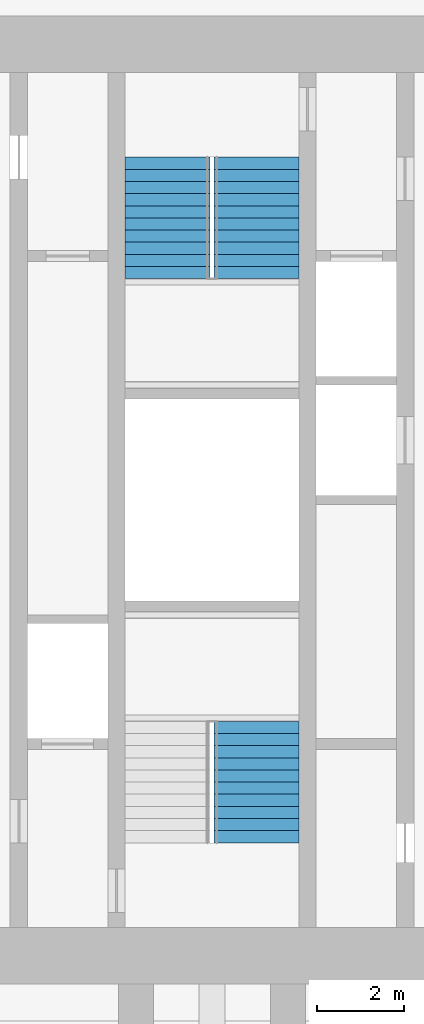
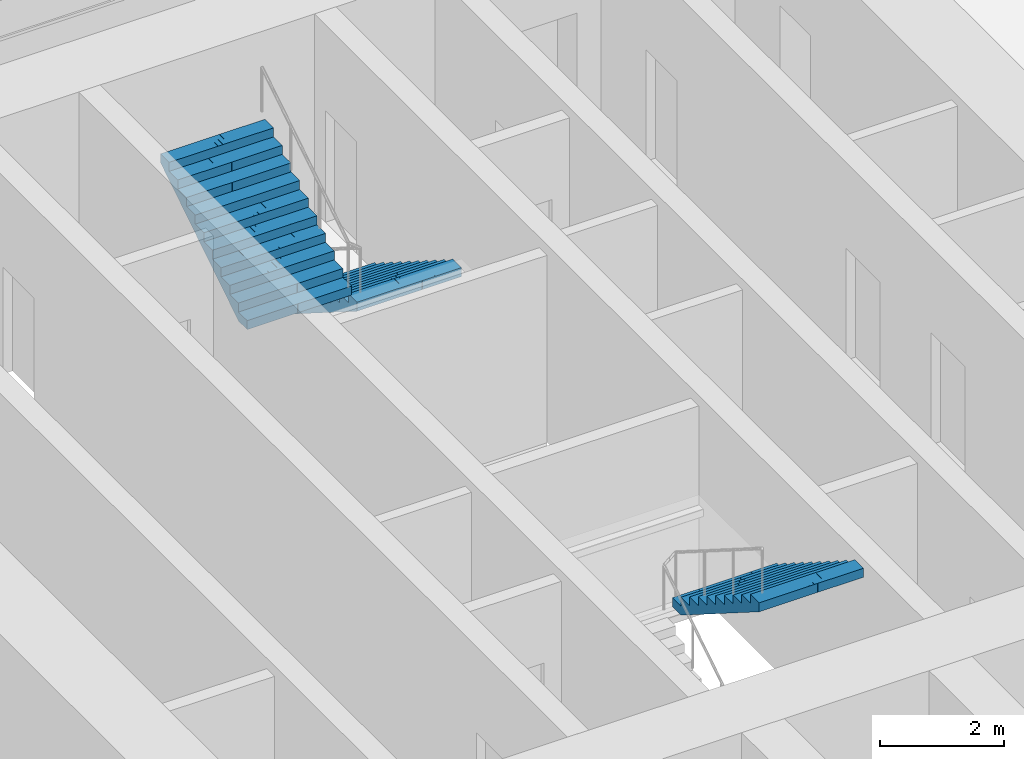
# One storey, part 14 of 15: 3 stair flights, 2 elements without a shape of their own.
"""IFC4 building model written with IfcOpenShell, lengths in metres."""

from ifc_helpers import new_model, si_unit, direction, frame, origin, place, context, subcontext, project, spatial, polyline, outline, extrude, material, type_object, element, aggregate, save


model = new_model("IFC4")

# Units and contexts
model_context = context("Model", 3, precision=1e-05, world=origin(), true_north=direction((0.0, 1.0)))
body_context = subcontext(model_context, "Body", "Model", "MODEL_VIEW")
ifc_project = project(units=[si_unit("LENGTHUNIT", "METRE"), si_unit("AREAUNIT", "SQUARE_METRE"), si_unit("VOLUMEUNIT", "CUBIC_METRE"), si_unit("PLANEANGLEUNIT", "RADIAN"), si_unit("MASSUNIT", "GRAM", prefix="KILO")], contexts=[model_context])

# Site, building, storey
site_placement = place(None, origin())
site = spatial("IfcSite", under=ifc_project, at=site_placement, CompositionType="ELEMENT")
building_placement = place(site_placement, origin())
building = spatial("IfcBuilding", under=site, at=building_placement, Name="Mizan Broadcast Tower", CompositionType="ELEMENT")
storey_placement = place(building_placement, frame((0.0, 0.0, 271.199951171875)))
storey = spatial("IfcBuildingStorey", under=building, at=storey_placement, Name="L64", CompositionType="ELEMENT", Elevation=271.199951171875)

# Stair, stair flight
ifc_material_1 = material(Name="Concrete C40/50", Category="concrete")
stair_type = type_object("IfcStairType", Name="EXIT STAIR", PredefinedType="HALF_TURN_STAIR", material=ifc_material_1)
stair_1_placement = place(storey_placement, origin())
stair_1 = element("IfcStair", 1, at=stair_1_placement, inside=storey, type_object=stair_type, Name="Stair A L64", PredefinedType="HALF_TURN_STAIR")
ifc_material_2 = material(Name="Concrete C40/50", Category="concrete")
stair_flight_type = type_object("IfcStairFlightType", Name="EXIT STAIR FLIGHT", PredefinedType="STRAIGHT", material=ifc_material_2)
stair_flight_1_placement = place(storey_placement, frame((1.02490234375, -5.10009765625, 1.949951171875), z_axis=(0.0, 0.0, 1.0), x_axis=(0.0, -1.0, 0.0)))
stair_flight_1 = element("IfcStairFlight", 2, at=stair_flight_1_placement, type_object=stair_flight_type, Name="A flight 2", NumberOfRisers=11, NumberOfTreads=10, PredefinedType="STRAIGHT", RiserHeight=0.177272727, TreadLength=0.28, context=body_context, shape_type="SweptSolid", body=[
    extrude(outline(polyline([(0.0, 0.0), (0.0, 0.17724609375), (0.280029296875, 0.17724609375), (0.280029296875, 0.3544921875), (0.56005859375, 0.3544921875), (0.56005859375, 0.53173828125), (0.840087890625, 0.53173828125), (0.840087890625, 0.708984375), (1.1201171875, 0.708984375), (1.1201171875, 0.886474609375), (1.39990234375, 0.886474609375), (1.39990234375, 1.063720703125), (1.679931640625, 1.063720703125), (1.679931640625, 1.240966796875), (1.9599609375, 1.240966796875), (1.9599609375, 1.418212890625), (2.239990234375, 1.418212890625), (2.239990234375, 1.595458984375), (2.52001953125, 1.595458984375), (2.52001953125, 1.772705078125), (2.800048828125, 1.772705078125), (2.800048828125, 1.949951171875), (2.800048828125, 1.59521484375), (0.2802734375, 0.0), (0.0, 0.0)])), frame((0.0, 0.97509765625, 0.0), z_axis=(0.0, -1.0, 0.0), x_axis=(1.0, 0.0, 0.0)), (0.0, 0.0, 1.0), 0.4873046875),
    extrude(outline(polyline([(0.0, 0.0), (0.0, 0.17724609375), (0.280029296875, 0.17724609375), (0.280029296875, 0.3544921875), (0.56005859375, 0.3544921875), (0.56005859375, 0.53173828125), (0.840087890625, 0.53173828125), (0.840087890625, 0.708984375), (1.1201171875, 0.708984375), (1.1201171875, 0.886474609375), (1.39990234375, 0.886474609375), (1.39990234375, 1.063720703125), (1.679931640625, 1.063720703125), (1.679931640625, 1.240966796875), (1.9599609375, 1.240966796875), (1.9599609375, 1.418212890625), (2.239990234375, 1.418212890625), (2.239990234375, 1.595458984375), (2.52001953125, 1.595458984375), (2.52001953125, 1.772705078125), (2.800048828125, 1.772705078125), (2.800048828125, 1.949951171875), (2.800048828125, 1.59521484375), (0.2802734375, 0.0), (0.0, 0.0)])), frame((0.0, 0.4873046875, 0.0), z_axis=(0.0, -1.0, 0.0), x_axis=(1.0, 0.0, 0.0)), (0.0, 0.0, 1.0), 0.2431640625),
    extrude(outline(polyline([(0.0, 0.0), (0.0, 0.17724609375), (0.280029296875, 0.17724609375), (0.280029296875, 0.3544921875), (0.56005859375, 0.3544921875), (0.56005859375, 0.53173828125), (0.840087890625, 0.53173828125), (0.840087890625, 0.708984375), (1.1201171875, 0.708984375), (1.1201171875, 0.886474609375), (1.39990234375, 0.886474609375), (1.39990234375, 1.063720703125), (1.679931640625, 1.063720703125), (1.679931640625, 1.240966796875), (1.9599609375, 1.240966796875), (1.9599609375, 1.418212890625), (2.239990234375, 1.418212890625), (2.239990234375, 1.595458984375), (2.52001953125, 1.595458984375), (2.52001953125, 1.772705078125), (2.800048828125, 1.772705078125), (2.800048828125, 1.949951171875), (2.800048828125, 1.59521484375), (0.2802734375, 0.0), (0.0, 0.0)])), frame((0.0, 0.24365234375, 0.0), z_axis=(0.0, -1.0, 0.0), x_axis=(1.0, 0.0, 0.0)), (0.0, 0.0, 1.0), 0.121337890625),
    extrude(outline(polyline([(0.0, 0.0), (0.0, 0.17724609375), (0.280029296875, 0.17724609375), (0.280029296875, 0.3544921875), (0.56005859375, 0.3544921875), (0.56005859375, 0.53173828125), (0.840087890625, 0.53173828125), (0.840087890625, 0.708984375), (1.1201171875, 0.708984375), (1.1201171875, 0.886474609375), (1.39990234375, 0.886474609375), (1.39990234375, 1.063720703125), (1.679931640625, 1.063720703125), (1.679931640625, 1.240966796875), (1.9599609375, 1.240966796875), (1.9599609375, 1.418212890625), (2.239990234375, 1.418212890625), (2.239990234375, 1.595458984375), (2.52001953125, 1.595458984375), (2.52001953125, 1.772705078125), (2.800048828125, 1.772705078125), (2.800048828125, 1.949951171875), (2.800048828125, 1.59521484375), (0.2802734375, 0.0), (0.0, 0.0)])), frame((0.0, 0.121826171875, 0.0), z_axis=(0.0, -1.0, 0.0), x_axis=(1.0, 0.0, 0.0)), (0.0, 0.0, 1.0), 0.060546875),
    extrude(outline(polyline([(0.0, 0.0), (0.0, 0.17724609375), (0.280029296875, 0.17724609375), (0.280029296875, 0.3544921875), (0.56005859375, 0.3544921875), (0.56005859375, 0.53173828125), (0.840087890625, 0.53173828125), (0.840087890625, 0.708984375), (1.1201171875, 0.708984375), (1.1201171875, 0.886474609375), (1.39990234375, 0.886474609375), (1.39990234375, 1.063720703125), (1.679931640625, 1.063720703125), (1.679931640625, 1.240966796875), (1.9599609375, 1.240966796875), (1.9599609375, 1.418212890625), (2.239990234375, 1.418212890625), (2.239990234375, 1.595458984375), (2.52001953125, 1.595458984375), (2.52001953125, 1.772705078125), (2.800048828125, 1.772705078125), (2.800048828125, 1.949951171875), (2.800048828125, 1.59521484375), (0.2802734375, 0.0), (0.0, 0.0)])), frame((0.0, 0.060791015625, 0.0), z_axis=(0.0, -1.0, 0.0), x_axis=(1.0, 0.0, 0.0)), (0.0, 0.0, 1.0), 0.030029296875),
    extrude(outline(polyline([(0.0, 0.0), (0.0, 0.17724609375), (0.280029296875, 0.17724609375), (0.280029296875, 0.3544921875), (0.56005859375, 0.3544921875), (0.56005859375, 0.53173828125), (0.840087890625, 0.53173828125), (0.840087890625, 0.708984375), (1.1201171875, 0.708984375), (1.1201171875, 0.886474609375), (1.39990234375, 0.886474609375), (1.39990234375, 1.063720703125), (1.679931640625, 1.063720703125), (1.679931640625, 1.240966796875), (1.9599609375, 1.240966796875), (1.9599609375, 1.418212890625), (2.239990234375, 1.418212890625), (2.239990234375, 1.595458984375), (2.52001953125, 1.595458984375), (2.52001953125, 1.772705078125), (2.800048828125, 1.772705078125), (2.800048828125, 1.949951171875), (2.800048828125, 1.59521484375), (0.2802734375, 0.0), (0.0, 0.0)])), frame((0.0, 0.0302734375, 0.0), z_axis=(0.0, -1.0, 0.0), x_axis=(1.0, 0.0, 0.0)), (0.0, 0.0, 1.0), 0.060302734375),
    extrude(outline(polyline([(0.0, 0.0), (0.0, 0.17724609375), (0.280029296875, 0.17724609375), (0.280029296875, 0.3544921875), (0.56005859375, 0.3544921875), (0.56005859375, 0.53173828125), (0.840087890625, 0.53173828125), (0.840087890625, 0.708984375), (1.1201171875, 0.708984375), (1.1201171875, 0.886474609375), (1.39990234375, 0.886474609375), (1.39990234375, 1.063720703125), (1.679931640625, 1.063720703125), (1.679931640625, 1.240966796875), (1.9599609375, 1.240966796875), (1.9599609375, 1.418212890625), (2.239990234375, 1.418212890625), (2.239990234375, 1.595458984375), (2.52001953125, 1.595458984375), (2.52001953125, 1.772705078125), (2.800048828125, 1.772705078125), (2.800048828125, 1.949951171875), (2.800048828125, 1.59521484375), (0.2802734375, 0.0), (0.0, 0.0)])), frame((0.0, -0.030517578125, 0.0), z_axis=(0.0, -1.0, 0.0), x_axis=(1.0, 0.0, 0.0)), (0.0, 0.0, 1.0), 0.030029296875),
    extrude(outline(polyline([(0.0, 0.0), (0.0, 0.17724609375), (0.280029296875, 0.17724609375), (0.280029296875, 0.3544921875), (0.56005859375, 0.3544921875), (0.56005859375, 0.53173828125), (0.840087890625, 0.53173828125), (0.840087890625, 0.708984375), (1.1201171875, 0.708984375), (1.1201171875, 0.886474609375), (1.39990234375, 0.886474609375), (1.39990234375, 1.063720703125), (1.679931640625, 1.063720703125), (1.679931640625, 1.240966796875), (1.9599609375, 1.240966796875), (1.9599609375, 1.418212890625), (2.239990234375, 1.418212890625), (2.239990234375, 1.595458984375), (2.52001953125, 1.595458984375), (2.52001953125, 1.772705078125), (2.800048828125, 1.772705078125), (2.800048828125, 1.949951171875), (2.800048828125, 1.59521484375), (0.2802734375, 0.0), (0.0, 0.0)])), frame((0.0, -0.06103515625, 0.0), z_axis=(0.0, -1.0, 0.0), x_axis=(1.0, 0.0, 0.0)), (0.0, 0.0, 1.0), 0.060546875),
    extrude(outline(polyline([(0.0, 0.0), (0.0, 0.17724609375), (0.280029296875, 0.17724609375), (0.280029296875, 0.3544921875), (0.56005859375, 0.3544921875), (0.56005859375, 0.53173828125), (0.840087890625, 0.53173828125), (0.840087890625, 0.708984375), (1.1201171875, 0.708984375), (1.1201171875, 0.886474609375), (1.39990234375, 0.886474609375), (1.39990234375, 1.063720703125), (1.679931640625, 1.063720703125), (1.679931640625, 1.240966796875), (1.9599609375, 1.240966796875), (1.9599609375, 1.418212890625), (2.239990234375, 1.418212890625), (2.239990234375, 1.595458984375), (2.52001953125, 1.595458984375), (2.52001953125, 1.772705078125), (2.800048828125, 1.772705078125), (2.800048828125, 1.949951171875), (2.800048828125, 1.59521484375), (0.2802734375, 0.0), (0.0, 0.0)])), frame((0.0, -0.1220703125, 0.0), z_axis=(0.0, -1.0, 0.0), x_axis=(1.0, 0.0, 0.0)), (0.0, 0.0, 1.0), 0.121337890625),
    extrude(outline(polyline([(0.0, 0.0), (0.0, 0.17724609375), (0.280029296875, 0.17724609375), (0.280029296875, 0.3544921875), (0.56005859375, 0.3544921875), (0.56005859375, 0.53173828125), (0.840087890625, 0.53173828125), (0.840087890625, 0.708984375), (1.1201171875, 0.708984375), (1.1201171875, 0.886474609375), (1.39990234375, 0.886474609375), (1.39990234375, 1.063720703125), (1.679931640625, 1.063720703125), (1.679931640625, 1.240966796875), (1.9599609375, 1.240966796875), (1.9599609375, 1.418212890625), (2.239990234375, 1.418212890625), (2.239990234375, 1.595458984375), (2.52001953125, 1.595458984375), (2.52001953125, 1.772705078125), (2.800048828125, 1.772705078125), (2.800048828125, 1.949951171875), (2.800048828125, 1.59521484375), (0.2802734375, 0.0), (0.0, 0.0)])), frame((0.0, -0.243896484375, 0.0), z_axis=(0.0, -1.0, 0.0), x_axis=(1.0, 0.0, 0.0)), (0.0, 0.0, 1.0), 0.2431640625),
    extrude(outline(polyline([(0.0, 0.0), (0.0, 0.17724609375), (0.280029296875, 0.17724609375), (0.280029296875, 0.3544921875), (0.56005859375, 0.3544921875), (0.56005859375, 0.53173828125), (0.840087890625, 0.53173828125), (0.840087890625, 0.708984375), (1.1201171875, 0.708984375), (1.1201171875, 0.886474609375), (1.39990234375, 0.886474609375), (1.39990234375, 1.063720703125), (1.679931640625, 1.063720703125), (1.679931640625, 1.240966796875), (1.9599609375, 1.240966796875), (1.9599609375, 1.418212890625), (2.239990234375, 1.418212890625), (2.239990234375, 1.595458984375), (2.52001953125, 1.595458984375), (2.52001953125, 1.772705078125), (2.800048828125, 1.772705078125), (2.800048828125, 1.949951171875), (2.800048828125, 1.59521484375), (0.2802734375, 0.0), (0.0, 0.0)])), frame((0.0, -0.487548828125, 0.0), z_axis=(0.0, -1.0, 0.0), x_axis=(1.0, 0.0, 0.0)), (0.0, 0.0, 1.0), 0.4873046875),
])
aggregate(stair_1, [stair_flight_1])

# Stair, stair flights
stair_2_placement = place(storey_placement, origin())
stair_2 = element("IfcStair", 3, at=stair_2_placement, inside=storey, type_object=stair_type, Name="Stair B L64", PredefinedType="HALF_TURN_STAIR")
stair_flight_2_placement = place(storey_placement, frame((1.02490234375, 7.89990234375, 0.0), z_axis=(0.0, 0.0, 1.0), x_axis=(0.0, -1.0, 0.0)))
stair_flight_2 = element("IfcStairFlight", 4, at=stair_flight_2_placement, type_object=stair_flight_type, Name="B flight 1", NumberOfRisers=11, NumberOfTreads=10, PredefinedType="STRAIGHT", RiserHeight=0.177272727, TreadLength=0.28, context=body_context, shape_type="SweptSolid", body=[
    extrude(outline(polyline([(0.0, 0.0), (0.0, 0.17724609375), (0.280029296875, 0.17724609375), (0.280029296875, 0.3544921875), (0.56005859375, 0.3544921875), (0.56005859375, 0.53173828125), (0.840087890625, 0.53173828125), (0.840087890625, 0.708984375), (1.1201171875, 0.708984375), (1.1201171875, 0.886474609375), (1.39990234375, 0.886474609375), (1.39990234375, 1.063720703125), (1.679931640625, 1.063720703125), (1.679931640625, 1.240966796875), (1.9599609375, 1.240966796875), (1.9599609375, 1.418212890625), (2.239990234375, 1.418212890625), (2.239990234375, 1.595458984375), (2.52001953125, 1.595458984375), (2.52001953125, 1.772705078125), (2.800048828125, 1.772705078125), (2.800048828125, 1.949951171875), (2.800048828125, 1.59521484375), (0.2802734375, 0.0), (0.0, 0.0)])), frame((0.0, 0.97509765625, 0.0), z_axis=(0.0, -1.0, 0.0), x_axis=(1.0, 0.0, 0.0)), (0.0, 0.0, 1.0), 0.4873046875),
    extrude(outline(polyline([(0.0, 0.0), (0.0, 0.17724609375), (0.280029296875, 0.17724609375), (0.280029296875, 0.3544921875), (0.56005859375, 0.3544921875), (0.56005859375, 0.53173828125), (0.840087890625, 0.53173828125), (0.840087890625, 0.708984375), (1.1201171875, 0.708984375), (1.1201171875, 0.886474609375), (1.39990234375, 0.886474609375), (1.39990234375, 1.063720703125), (1.679931640625, 1.063720703125), (1.679931640625, 1.240966796875), (1.9599609375, 1.240966796875), (1.9599609375, 1.418212890625), (2.239990234375, 1.418212890625), (2.239990234375, 1.595458984375), (2.52001953125, 1.595458984375), (2.52001953125, 1.772705078125), (2.800048828125, 1.772705078125), (2.800048828125, 1.949951171875), (2.800048828125, 1.59521484375), (0.2802734375, 0.0), (0.0, 0.0)])), frame((0.0, 0.4873046875, 0.0), z_axis=(0.0, -1.0, 0.0), x_axis=(1.0, 0.0, 0.0)), (0.0, 0.0, 1.0), 0.2431640625),
    extrude(outline(polyline([(0.0, 0.0), (0.0, 0.17724609375), (0.280029296875, 0.17724609375), (0.280029296875, 0.3544921875), (0.56005859375, 0.3544921875), (0.56005859375, 0.53173828125), (0.840087890625, 0.53173828125), (0.840087890625, 0.708984375), (1.1201171875, 0.708984375), (1.1201171875, 0.886474609375), (1.39990234375, 0.886474609375), (1.39990234375, 1.063720703125), (1.679931640625, 1.063720703125), (1.679931640625, 1.240966796875), (1.9599609375, 1.240966796875), (1.9599609375, 1.418212890625), (2.239990234375, 1.418212890625), (2.239990234375, 1.595458984375), (2.52001953125, 1.595458984375), (2.52001953125, 1.772705078125), (2.800048828125, 1.772705078125), (2.800048828125, 1.949951171875), (2.800048828125, 1.59521484375), (0.2802734375, 0.0), (0.0, 0.0)])), frame((0.0, 0.24365234375, 0.0), z_axis=(0.0, -1.0, 0.0), x_axis=(1.0, 0.0, 0.0)), (0.0, 0.0, 1.0), 0.121337890625),
    extrude(outline(polyline([(0.0, 0.0), (0.0, 0.17724609375), (0.280029296875, 0.17724609375), (0.280029296875, 0.3544921875), (0.56005859375, 0.3544921875), (0.56005859375, 0.53173828125), (0.840087890625, 0.53173828125), (0.840087890625, 0.708984375), (1.1201171875, 0.708984375), (1.1201171875, 0.886474609375), (1.39990234375, 0.886474609375), (1.39990234375, 1.063720703125), (1.679931640625, 1.063720703125), (1.679931640625, 1.240966796875), (1.9599609375, 1.240966796875), (1.9599609375, 1.418212890625), (2.239990234375, 1.418212890625), (2.239990234375, 1.595458984375), (2.52001953125, 1.595458984375), (2.52001953125, 1.772705078125), (2.800048828125, 1.772705078125), (2.800048828125, 1.949951171875), (2.800048828125, 1.59521484375), (0.2802734375, 0.0), (0.0, 0.0)])), frame((0.0, 0.121826171875, 0.0), z_axis=(0.0, -1.0, 0.0), x_axis=(1.0, 0.0, 0.0)), (0.0, 0.0, 1.0), 0.060546875),
    extrude(outline(polyline([(0.0, 0.0), (0.0, 0.17724609375), (0.280029296875, 0.17724609375), (0.280029296875, 0.3544921875), (0.56005859375, 0.3544921875), (0.56005859375, 0.53173828125), (0.840087890625, 0.53173828125), (0.840087890625, 0.708984375), (1.1201171875, 0.708984375), (1.1201171875, 0.886474609375), (1.39990234375, 0.886474609375), (1.39990234375, 1.063720703125), (1.679931640625, 1.063720703125), (1.679931640625, 1.240966796875), (1.9599609375, 1.240966796875), (1.9599609375, 1.418212890625), (2.239990234375, 1.418212890625), (2.239990234375, 1.595458984375), (2.52001953125, 1.595458984375), (2.52001953125, 1.772705078125), (2.800048828125, 1.772705078125), (2.800048828125, 1.949951171875), (2.800048828125, 1.59521484375), (0.2802734375, 0.0), (0.0, 0.0)])), frame((0.0, 0.060791015625, 0.0), z_axis=(0.0, -1.0, 0.0), x_axis=(1.0, 0.0, 0.0)), (0.0, 0.0, 1.0), 0.030029296875),
    extrude(outline(polyline([(0.0, 0.0), (0.0, 0.17724609375), (0.280029296875, 0.17724609375), (0.280029296875, 0.3544921875), (0.56005859375, 0.3544921875), (0.56005859375, 0.53173828125), (0.840087890625, 0.53173828125), (0.840087890625, 0.708984375), (1.1201171875, 0.708984375), (1.1201171875, 0.886474609375), (1.39990234375, 0.886474609375), (1.39990234375, 1.063720703125), (1.679931640625, 1.063720703125), (1.679931640625, 1.240966796875), (1.9599609375, 1.240966796875), (1.9599609375, 1.418212890625), (2.239990234375, 1.418212890625), (2.239990234375, 1.595458984375), (2.52001953125, 1.595458984375), (2.52001953125, 1.772705078125), (2.800048828125, 1.772705078125), (2.800048828125, 1.949951171875), (2.800048828125, 1.59521484375), (0.2802734375, 0.0), (0.0, 0.0)])), frame((0.0, 0.0302734375, 0.0), z_axis=(0.0, -1.0, 0.0), x_axis=(1.0, 0.0, 0.0)), (0.0, 0.0, 1.0), 0.060302734375),
    extrude(outline(polyline([(0.0, 0.0), (0.0, 0.17724609375), (0.280029296875, 0.17724609375), (0.280029296875, 0.3544921875), (0.56005859375, 0.3544921875), (0.56005859375, 0.53173828125), (0.840087890625, 0.53173828125), (0.840087890625, 0.708984375), (1.1201171875, 0.708984375), (1.1201171875, 0.886474609375), (1.39990234375, 0.886474609375), (1.39990234375, 1.063720703125), (1.679931640625, 1.063720703125), (1.679931640625, 1.240966796875), (1.9599609375, 1.240966796875), (1.9599609375, 1.418212890625), (2.239990234375, 1.418212890625), (2.239990234375, 1.595458984375), (2.52001953125, 1.595458984375), (2.52001953125, 1.772705078125), (2.800048828125, 1.772705078125), (2.800048828125, 1.949951171875), (2.800048828125, 1.59521484375), (0.2802734375, 0.0), (0.0, 0.0)])), frame((0.0, -0.030517578125, 0.0), z_axis=(0.0, -1.0, 0.0), x_axis=(1.0, 0.0, 0.0)), (0.0, 0.0, 1.0), 0.030029296875),
    extrude(outline(polyline([(0.0, 0.0), (0.0, 0.17724609375), (0.280029296875, 0.17724609375), (0.280029296875, 0.3544921875), (0.56005859375, 0.3544921875), (0.56005859375, 0.53173828125), (0.840087890625, 0.53173828125), (0.840087890625, 0.708984375), (1.1201171875, 0.708984375), (1.1201171875, 0.886474609375), (1.39990234375, 0.886474609375), (1.39990234375, 1.063720703125), (1.679931640625, 1.063720703125), (1.679931640625, 1.240966796875), (1.9599609375, 1.240966796875), (1.9599609375, 1.418212890625), (2.239990234375, 1.418212890625), (2.239990234375, 1.595458984375), (2.52001953125, 1.595458984375), (2.52001953125, 1.772705078125), (2.800048828125, 1.772705078125), (2.800048828125, 1.949951171875), (2.800048828125, 1.59521484375), (0.2802734375, 0.0), (0.0, 0.0)])), frame((0.0, -0.06103515625, 0.0), z_axis=(0.0, -1.0, 0.0), x_axis=(1.0, 0.0, 0.0)), (0.0, 0.0, 1.0), 0.060546875),
    extrude(outline(polyline([(0.0, 0.0), (0.0, 0.17724609375), (0.280029296875, 0.17724609375), (0.280029296875, 0.3544921875), (0.56005859375, 0.3544921875), (0.56005859375, 0.53173828125), (0.840087890625, 0.53173828125), (0.840087890625, 0.708984375), (1.1201171875, 0.708984375), (1.1201171875, 0.886474609375), (1.39990234375, 0.886474609375), (1.39990234375, 1.063720703125), (1.679931640625, 1.063720703125), (1.679931640625, 1.240966796875), (1.9599609375, 1.240966796875), (1.9599609375, 1.418212890625), (2.239990234375, 1.418212890625), (2.239990234375, 1.595458984375), (2.52001953125, 1.595458984375), (2.52001953125, 1.772705078125), (2.800048828125, 1.772705078125), (2.800048828125, 1.949951171875), (2.800048828125, 1.59521484375), (0.2802734375, 0.0), (0.0, 0.0)])), frame((0.0, -0.1220703125, 0.0), z_axis=(0.0, -1.0, 0.0), x_axis=(1.0, 0.0, 0.0)), (0.0, 0.0, 1.0), 0.121337890625),
    extrude(outline(polyline([(0.0, 0.0), (0.0, 0.17724609375), (0.280029296875, 0.17724609375), (0.280029296875, 0.3544921875), (0.56005859375, 0.3544921875), (0.56005859375, 0.53173828125), (0.840087890625, 0.53173828125), (0.840087890625, 0.708984375), (1.1201171875, 0.708984375), (1.1201171875, 0.886474609375), (1.39990234375, 0.886474609375), (1.39990234375, 1.063720703125), (1.679931640625, 1.063720703125), (1.679931640625, 1.240966796875), (1.9599609375, 1.240966796875), (1.9599609375, 1.418212890625), (2.239990234375, 1.418212890625), (2.239990234375, 1.595458984375), (2.52001953125, 1.595458984375), (2.52001953125, 1.772705078125), (2.800048828125, 1.772705078125), (2.800048828125, 1.949951171875), (2.800048828125, 1.59521484375), (0.2802734375, 0.0), (0.0, 0.0)])), frame((0.0, -0.243896484375, 0.0), z_axis=(0.0, -1.0, 0.0), x_axis=(1.0, 0.0, 0.0)), (0.0, 0.0, 1.0), 0.2431640625),
    extrude(outline(polyline([(0.0, 0.0), (0.0, 0.17724609375), (0.280029296875, 0.17724609375), (0.280029296875, 0.3544921875), (0.56005859375, 0.3544921875), (0.56005859375, 0.53173828125), (0.840087890625, 0.53173828125), (0.840087890625, 0.708984375), (1.1201171875, 0.708984375), (1.1201171875, 0.886474609375), (1.39990234375, 0.886474609375), (1.39990234375, 1.063720703125), (1.679931640625, 1.063720703125), (1.679931640625, 1.240966796875), (1.9599609375, 1.240966796875), (1.9599609375, 1.418212890625), (2.239990234375, 1.418212890625), (2.239990234375, 1.595458984375), (2.52001953125, 1.595458984375), (2.52001953125, 1.772705078125), (2.800048828125, 1.772705078125), (2.800048828125, 1.949951171875), (2.800048828125, 1.59521484375), (0.2802734375, 0.0), (0.0, 0.0)])), frame((0.0, -0.487548828125, 0.0), z_axis=(0.0, -1.0, 0.0), x_axis=(1.0, 0.0, 0.0)), (0.0, 0.0, 1.0), 0.4873046875),
])
stair_flight_3_placement = place(storey_placement, frame((-1.02490234375, 5.10009765625, 1.949951171875), z_axis=(0.0, 0.0, 1.0), x_axis=(0.0, 1.0, 0.0)))
stair_flight_3 = element("IfcStairFlight", 5, at=stair_flight_3_placement, type_object=stair_flight_type, Name="B flight 2", NumberOfRisers=11, NumberOfTreads=10, PredefinedType="STRAIGHT", RiserHeight=0.177272727, TreadLength=0.28, context=body_context, shape_type="SweptSolid", body=[
    extrude(outline(polyline([(0.0, 0.0), (0.0, 0.17724609375), (0.280029296875, 0.17724609375), (0.280029296875, 0.3544921875), (0.56005859375, 0.3544921875), (0.56005859375, 0.53173828125), (0.840087890625, 0.53173828125), (0.840087890625, 0.708984375), (1.1201171875, 0.708984375), (1.1201171875, 0.886474609375), (1.39990234375, 0.886474609375), (1.39990234375, 1.063720703125), (1.679931640625, 1.063720703125), (1.679931640625, 1.240966796875), (1.9599609375, 1.240966796875), (1.9599609375, 1.418212890625), (2.239990234375, 1.418212890625), (2.239990234375, 1.595458984375), (2.52001953125, 1.595458984375), (2.52001953125, 1.772705078125), (2.800048828125, 1.772705078125), (2.800048828125, 1.949951171875), (2.800048828125, 1.59521484375), (0.2802734375, 0.0), (0.0, 0.0)])), frame((0.0, 0.97509765625, 0.0), z_axis=(0.0, -1.0, 0.0), x_axis=(1.0, 0.0, 0.0)), (0.0, 0.0, 1.0), 0.4873046875),
    extrude(outline(polyline([(0.0, 0.0), (0.0, 0.17724609375), (0.280029296875, 0.17724609375), (0.280029296875, 0.3544921875), (0.56005859375, 0.3544921875), (0.56005859375, 0.53173828125), (0.840087890625, 0.53173828125), (0.840087890625, 0.708984375), (1.1201171875, 0.708984375), (1.1201171875, 0.886474609375), (1.39990234375, 0.886474609375), (1.39990234375, 1.063720703125), (1.679931640625, 1.063720703125), (1.679931640625, 1.240966796875), (1.9599609375, 1.240966796875), (1.9599609375, 1.418212890625), (2.239990234375, 1.418212890625), (2.239990234375, 1.595458984375), (2.52001953125, 1.595458984375), (2.52001953125, 1.772705078125), (2.800048828125, 1.772705078125), (2.800048828125, 1.949951171875), (2.800048828125, 1.59521484375), (0.2802734375, 0.0), (0.0, 0.0)])), frame((0.0, 0.4873046875, 0.0), z_axis=(0.0, -1.0, 0.0), x_axis=(1.0, 0.0, 0.0)), (0.0, 0.0, 1.0), 0.2431640625),
    extrude(outline(polyline([(0.0, 0.0), (0.0, 0.17724609375), (0.280029296875, 0.17724609375), (0.280029296875, 0.3544921875), (0.56005859375, 0.3544921875), (0.56005859375, 0.53173828125), (0.840087890625, 0.53173828125), (0.840087890625, 0.708984375), (1.1201171875, 0.708984375), (1.1201171875, 0.886474609375), (1.39990234375, 0.886474609375), (1.39990234375, 1.063720703125), (1.679931640625, 1.063720703125), (1.679931640625, 1.240966796875), (1.9599609375, 1.240966796875), (1.9599609375, 1.418212890625), (2.239990234375, 1.418212890625), (2.239990234375, 1.595458984375), (2.52001953125, 1.595458984375), (2.52001953125, 1.772705078125), (2.800048828125, 1.772705078125), (2.800048828125, 1.949951171875), (2.800048828125, 1.59521484375), (0.2802734375, 0.0), (0.0, 0.0)])), frame((0.0, 0.24365234375, 0.0), z_axis=(0.0, -1.0, 0.0), x_axis=(1.0, 0.0, 0.0)), (0.0, 0.0, 1.0), 0.121337890625),
    extrude(outline(polyline([(0.0, 0.0), (0.0, 0.17724609375), (0.280029296875, 0.17724609375), (0.280029296875, 0.3544921875), (0.56005859375, 0.3544921875), (0.56005859375, 0.53173828125), (0.840087890625, 0.53173828125), (0.840087890625, 0.708984375), (1.1201171875, 0.708984375), (1.1201171875, 0.886474609375), (1.39990234375, 0.886474609375), (1.39990234375, 1.063720703125), (1.679931640625, 1.063720703125), (1.679931640625, 1.240966796875), (1.9599609375, 1.240966796875), (1.9599609375, 1.418212890625), (2.239990234375, 1.418212890625), (2.239990234375, 1.595458984375), (2.52001953125, 1.595458984375), (2.52001953125, 1.772705078125), (2.800048828125, 1.772705078125), (2.800048828125, 1.949951171875), (2.800048828125, 1.59521484375), (0.2802734375, 0.0), (0.0, 0.0)])), frame((0.0, 0.121826171875, 0.0), z_axis=(0.0, -1.0, 0.0), x_axis=(1.0, 0.0, 0.0)), (0.0, 0.0, 1.0), 0.060546875),
    extrude(outline(polyline([(0.0, 0.0), (0.0, 0.17724609375), (0.280029296875, 0.17724609375), (0.280029296875, 0.3544921875), (0.56005859375, 0.3544921875), (0.56005859375, 0.53173828125), (0.840087890625, 0.53173828125), (0.840087890625, 0.708984375), (1.1201171875, 0.708984375), (1.1201171875, 0.886474609375), (1.39990234375, 0.886474609375), (1.39990234375, 1.063720703125), (1.679931640625, 1.063720703125), (1.679931640625, 1.240966796875), (1.9599609375, 1.240966796875), (1.9599609375, 1.418212890625), (2.239990234375, 1.418212890625), (2.239990234375, 1.595458984375), (2.52001953125, 1.595458984375), (2.52001953125, 1.772705078125), (2.800048828125, 1.772705078125), (2.800048828125, 1.949951171875), (2.800048828125, 1.59521484375), (0.2802734375, 0.0), (0.0, 0.0)])), frame((0.0, 0.060791015625, 0.0), z_axis=(0.0, -1.0, 0.0), x_axis=(1.0, 0.0, 0.0)), (0.0, 0.0, 1.0), 0.030029296875),
    extrude(outline(polyline([(0.0, 0.0), (0.0, 0.17724609375), (0.280029296875, 0.17724609375), (0.280029296875, 0.3544921875), (0.56005859375, 0.3544921875), (0.56005859375, 0.53173828125), (0.840087890625, 0.53173828125), (0.840087890625, 0.708984375), (1.1201171875, 0.708984375), (1.1201171875, 0.886474609375), (1.39990234375, 0.886474609375), (1.39990234375, 1.063720703125), (1.679931640625, 1.063720703125), (1.679931640625, 1.240966796875), (1.9599609375, 1.240966796875), (1.9599609375, 1.418212890625), (2.239990234375, 1.418212890625), (2.239990234375, 1.595458984375), (2.52001953125, 1.595458984375), (2.52001953125, 1.772705078125), (2.800048828125, 1.772705078125), (2.800048828125, 1.949951171875), (2.800048828125, 1.59521484375), (0.2802734375, 0.0), (0.0, 0.0)])), frame((0.0, 0.0302734375, 0.0), z_axis=(0.0, -1.0, 0.0), x_axis=(1.0, 0.0, 0.0)), (0.0, 0.0, 1.0), 0.060302734375),
    extrude(outline(polyline([(0.0, 0.0), (0.0, 0.17724609375), (0.280029296875, 0.17724609375), (0.280029296875, 0.3544921875), (0.56005859375, 0.3544921875), (0.56005859375, 0.53173828125), (0.840087890625, 0.53173828125), (0.840087890625, 0.708984375), (1.1201171875, 0.708984375), (1.1201171875, 0.886474609375), (1.39990234375, 0.886474609375), (1.39990234375, 1.063720703125), (1.679931640625, 1.063720703125), (1.679931640625, 1.240966796875), (1.9599609375, 1.240966796875), (1.9599609375, 1.418212890625), (2.239990234375, 1.418212890625), (2.239990234375, 1.595458984375), (2.52001953125, 1.595458984375), (2.52001953125, 1.772705078125), (2.800048828125, 1.772705078125), (2.800048828125, 1.949951171875), (2.800048828125, 1.59521484375), (0.2802734375, 0.0), (0.0, 0.0)])), frame((0.0, -0.030517578125, 0.0), z_axis=(0.0, -1.0, 0.0), x_axis=(1.0, 0.0, 0.0)), (0.0, 0.0, 1.0), 0.030029296875),
    extrude(outline(polyline([(0.0, 0.0), (0.0, 0.17724609375), (0.280029296875, 0.17724609375), (0.280029296875, 0.3544921875), (0.56005859375, 0.3544921875), (0.56005859375, 0.53173828125), (0.840087890625, 0.53173828125), (0.840087890625, 0.708984375), (1.1201171875, 0.708984375), (1.1201171875, 0.886474609375), (1.39990234375, 0.886474609375), (1.39990234375, 1.063720703125), (1.679931640625, 1.063720703125), (1.679931640625, 1.240966796875), (1.9599609375, 1.240966796875), (1.9599609375, 1.418212890625), (2.239990234375, 1.418212890625), (2.239990234375, 1.595458984375), (2.52001953125, 1.595458984375), (2.52001953125, 1.772705078125), (2.800048828125, 1.772705078125), (2.800048828125, 1.949951171875), (2.800048828125, 1.59521484375), (0.2802734375, 0.0), (0.0, 0.0)])), frame((0.0, -0.06103515625, 0.0), z_axis=(0.0, -1.0, 0.0), x_axis=(1.0, 0.0, 0.0)), (0.0, 0.0, 1.0), 0.060546875),
    extrude(outline(polyline([(0.0, 0.0), (0.0, 0.17724609375), (0.280029296875, 0.17724609375), (0.280029296875, 0.3544921875), (0.56005859375, 0.3544921875), (0.56005859375, 0.53173828125), (0.840087890625, 0.53173828125), (0.840087890625, 0.708984375), (1.1201171875, 0.708984375), (1.1201171875, 0.886474609375), (1.39990234375, 0.886474609375), (1.39990234375, 1.063720703125), (1.679931640625, 1.063720703125), (1.679931640625, 1.240966796875), (1.9599609375, 1.240966796875), (1.9599609375, 1.418212890625), (2.239990234375, 1.418212890625), (2.239990234375, 1.595458984375), (2.52001953125, 1.595458984375), (2.52001953125, 1.772705078125), (2.800048828125, 1.772705078125), (2.800048828125, 1.949951171875), (2.800048828125, 1.59521484375), (0.2802734375, 0.0), (0.0, 0.0)])), frame((0.0, -0.1220703125, 0.0), z_axis=(0.0, -1.0, 0.0), x_axis=(1.0, 0.0, 0.0)), (0.0, 0.0, 1.0), 0.121337890625),
    extrude(outline(polyline([(0.0, 0.0), (0.0, 0.17724609375), (0.280029296875, 0.17724609375), (0.280029296875, 0.3544921875), (0.56005859375, 0.3544921875), (0.56005859375, 0.53173828125), (0.840087890625, 0.53173828125), (0.840087890625, 0.708984375), (1.1201171875, 0.708984375), (1.1201171875, 0.886474609375), (1.39990234375, 0.886474609375), (1.39990234375, 1.063720703125), (1.679931640625, 1.063720703125), (1.679931640625, 1.240966796875), (1.9599609375, 1.240966796875), (1.9599609375, 1.418212890625), (2.239990234375, 1.418212890625), (2.239990234375, 1.595458984375), (2.52001953125, 1.595458984375), (2.52001953125, 1.772705078125), (2.800048828125, 1.772705078125), (2.800048828125, 1.949951171875), (2.800048828125, 1.59521484375), (0.2802734375, 0.0), (0.0, 0.0)])), frame((0.0, -0.243896484375, 0.0), z_axis=(0.0, -1.0, 0.0), x_axis=(1.0, 0.0, 0.0)), (0.0, 0.0, 1.0), 0.2431640625),
    extrude(outline(polyline([(0.0, 0.0), (0.0, 0.17724609375), (0.280029296875, 0.17724609375), (0.280029296875, 0.3544921875), (0.56005859375, 0.3544921875), (0.56005859375, 0.53173828125), (0.840087890625, 0.53173828125), (0.840087890625, 0.708984375), (1.1201171875, 0.708984375), (1.1201171875, 0.886474609375), (1.39990234375, 0.886474609375), (1.39990234375, 1.063720703125), (1.679931640625, 1.063720703125), (1.679931640625, 1.240966796875), (1.9599609375, 1.240966796875), (1.9599609375, 1.418212890625), (2.239990234375, 1.418212890625), (2.239990234375, 1.595458984375), (2.52001953125, 1.595458984375), (2.52001953125, 1.772705078125), (2.800048828125, 1.772705078125), (2.800048828125, 1.949951171875), (2.800048828125, 1.59521484375), (0.2802734375, 0.0), (0.0, 0.0)])), frame((0.0, -0.487548828125, 0.0), z_axis=(0.0, -1.0, 0.0), x_axis=(1.0, 0.0, 0.0)), (0.0, 0.0, 1.0), 0.4873046875),
])
aggregate(stair_2, [stair_flight_2, stair_flight_3])

save(model, "model.ifc")
